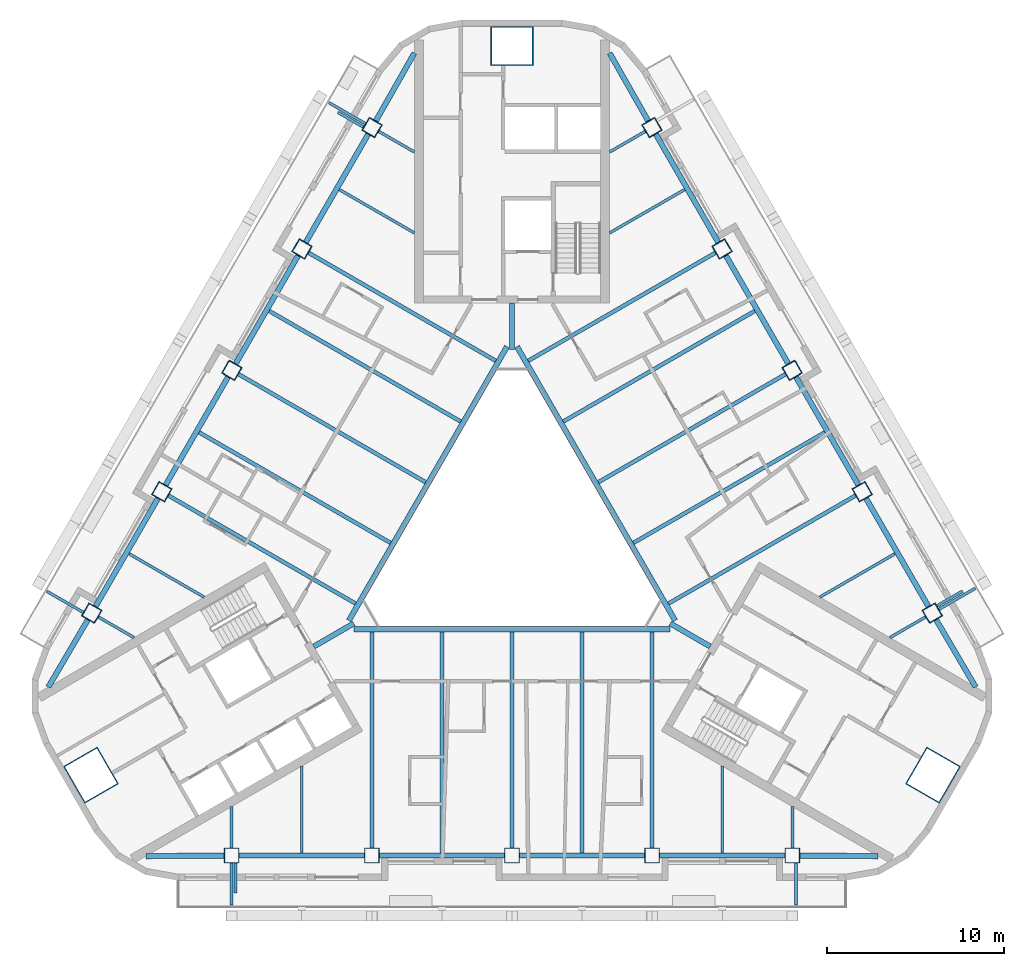
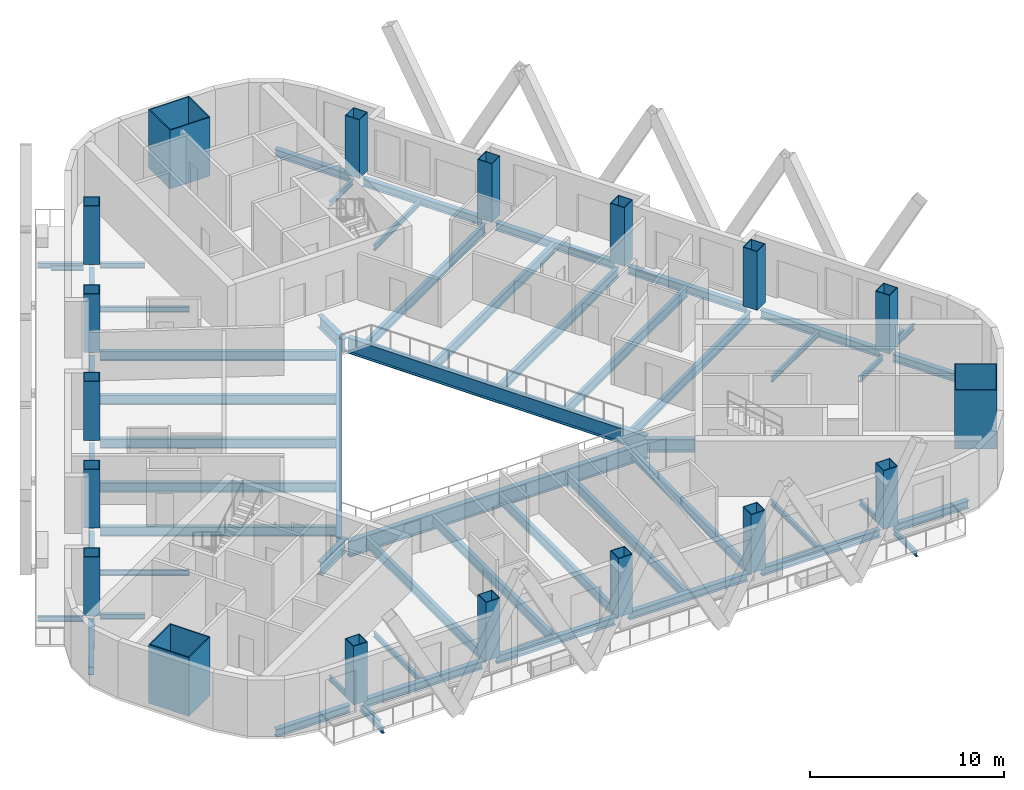
# One storey, part 1 of 14: 59 beams, 18 columns.
"""IFC4 building model written with IfcOpenShell, lengths in metres."""

from ifc_helpers import new_model, si_unit, direction, frame, origin, origin_2d, place, context, subcontext, project, spatial, rectangle, hollow_rectangle, i_section, extrude, material, material_profile, profile_set, type_object, element, save


model = new_model("IFC4")

# Units and contexts
model_context = context("Model", 3, precision=1e-05, world=origin(), true_north=direction((0.0, 1.0)))
body_context = subcontext(model_context, "Body", "Model", "MODEL_VIEW")
ifc_project = project(units=[si_unit("LENGTHUNIT", "METRE"), si_unit("AREAUNIT", "SQUARE_METRE"), si_unit("VOLUMEUNIT", "CUBIC_METRE"), si_unit("PLANEANGLEUNIT", "RADIAN"), si_unit("MASSUNIT", "GRAM", prefix="KILO")], contexts=[model_context])

# Site, building, storey
site_placement = place(None, origin())
site = spatial("IfcSite", under=ifc_project, at=site_placement, CompositionType="ELEMENT")
building_placement = place(site_placement, origin())
building = spatial("IfcBuilding", under=site, at=building_placement, Name="Apuvela Tower Hotel", CompositionType="ELEMENT")
storey_placement = place(building_placement, frame((0.0, 0.0, 168.800048828125)))
storey = spatial("IfcBuildingStorey", under=building, at=storey_placement, Name="L40", CompositionType="ELEMENT", Elevation=168.800048828125)

# Columns
ifc_material_1 = material(Name="Steel S460", Category="steel")
ifc_material_profile_1 = material_profile(ifc_material_1, hollow_rectangle(XDim=2.39990234375, YDim=2.199951171875, WallThickness=0.06005859375, at=origin_2d()), Name="BOX 2400x2200x60")
ifc_material_2 = material(Name="Concrete C80/95", Category="concrete")
ifc_material_profile_2 = material_profile(ifc_material_2, rectangle(XDim=2.280029296875, YDim=2.080078125, at=origin_2d()), Name="Concrete C80/95 infill")
ifc_profile_set_1 = profile_set([ifc_material_profile_1, ifc_material_profile_2], Name="Steel S460")
column_type_1 = type_object("IfcColumnType", Name="STR-MC mega column BOX 2400x2200x60", PredefinedType="COLUMN", material=ifc_profile_set_1)
for number, where, z_axis, x_axis, name in (
    (1, (0.0, 27.39990234375, 0.0), (0.0, 0.0, 1.0), (1.0, 0.0, 0.0), "Mega column MC3 N"),
    (2, (-23.72900390625, -13.699951171875, 0.0), (0.0, 0.0, 1.0), (-0.5, 0.866025403784, 0.0), "Mega column MC3 SW"),
    (3, (23.72900390625, -13.699951171875, 0.0), (0.0, 0.0, 1.0), (0.5, 0.866025403784, 0.0), "Mega column MC3 SE"),
):
    element("IfcColumn", number, at=place(storey_placement, frame(where, z_axis=z_axis, x_axis=x_axis)), inside=storey, type_object=column_type_1, Name=name, PredefinedType="COLUMN", context=body_context, shape_type="SweptSolid", body=[
        extrude(hollow_rectangle(XDim=2.39990234375, YDim=2.199951171875, WallThickness=0.06005859375, at=origin_2d()), origin(), (0.0, 0.0, 1.0), 3.699951171875),
    ])
ifc_material_profile_3 = material_profile(ifc_material_1, hollow_rectangle(XDim=0.85009765625, YDim=0.85009765625, WallThickness=0.0400390625, at=origin_2d()), Name="BOX 850x850x40")
ifc_material_profile_4 = material_profile(ifc_material_2, rectangle(XDim=0.77001953125, YDim=0.77001953125, at=origin_2d()), Name="Concrete C80/95 infill")
ifc_profile_set_2 = profile_set([ifc_material_profile_3, ifc_material_profile_4], Name="Steel S460")
column_type_2 = type_object("IfcColumnType", Name="STR-PC perimeter column BOX 850x850x40", PredefinedType="COLUMN", material=ifc_profile_set_2)
for number, where, z_axis, x_axis, name in (
    (4, (-15.800048828125, -18.22998046875, 0.0), (0.0, 0.0, 1.0), (-1.0, 0.0, 0.0), "Perimeter column C4 S1"),
    (5, (-7.89990234375, -18.22998046875, 0.0), (0.0, 0.0, 1.0), (-1.0, 0.0, 0.0), "Perimeter column C4 S2"),
    (6, (0.0, -18.22998046875, 0.0), (0.0, 0.0, 1.0), (-1.0, 0.0, 0.0), "Perimeter column C4 S3"),
    (7, (7.89990234375, -18.22998046875, 0.0), (0.0, 0.0, 1.0), (-1.0, 0.0, 0.0), "Perimeter column C4 S4"),
    (8, (15.800048828125, -18.22998046875, 0.0), (0.0, 0.0, 1.0), (-1.0, 0.0, 0.0), "Perimeter column C4 S5"),
    (9, (23.6875, -4.568115234375, 0.0), (0.0, 0.0, 1.0), (-0.5, 0.866025403784, 0.0), "Perimeter column C4 NE1"),
    (10, (19.737548828125, 2.2734375, 0.0), (0.0, 0.0, 1.0), (-0.5, 0.866025403784, 0.0), "Perimeter column C4 NE2"),
    (11, (15.78759765625, 9.114990234375, 0.0), (0.0, 0.0, 1.0), (-0.5, 0.866025403784, 0.0), "Perimeter column C4 NE3"),
    (12, (11.837646484375, 15.95654296875, 0.0), (0.0, 0.0, 1.0), (-0.5, 0.866025403784, 0.0), "Perimeter column C4 NE4"),
    (13, (7.8876953125, 22.798095703125, 0.0), (0.0, 0.0, 1.0), (-0.5, 0.866025403784, 0.0), "Perimeter column C4 NE5"),
    (14, (-7.8876953125, 22.798095703125, 0.0), (0.0, 0.0, 1.0), (0.5, 0.866025403784, 0.0), "Perimeter column C4 NW1"),
    (15, (-11.837646484375, 15.95654296875, 0.0), (0.0, 0.0, 1.0), (0.5, 0.866025403784, 0.0), "Perimeter column C4 NW2"),
    (16, (-15.78759765625, 9.114990234375, 0.0), (0.0, 0.0, 1.0), (0.5, 0.866025403784, 0.0), "Perimeter column C4 NW3"),
    (17, (-19.737548828125, 2.2734375, 0.0), (0.0, 0.0, 1.0), (0.5, 0.866025403784, 0.0), "Perimeter column C4 NW4"),
    (18, (-23.6875, -4.568115234375, 0.0), (0.0, 0.0, 1.0), (0.5, 0.866025403784, 0.0), "Perimeter column C4 NW5"),
):
    element("IfcColumn", number, at=place(storey_placement, frame(where, z_axis=z_axis, x_axis=x_axis)), inside=storey, type_object=column_type_2, Name=name, PredefinedType="COLUMN", context=body_context, shape_type="SweptSolid", body=[
        extrude(hollow_rectangle(XDim=0.85009765625, YDim=0.85009765625, WallThickness=0.0400390625, at=origin_2d()), origin(), (0.0, 0.0, 1.0), 3.699951171875),
    ])

# Beams
ifc_material_3 = material(Name="Steel S355", Category="steel")
ifc_material_profile_5 = material_profile(ifc_material_3, i_section(OverallWidth=0.159912109375, OverallDepth=0.330078125, WebThickness=0.007568359375, FlangeThickness=0.011474609375, at=origin_2d()), Name="IPE 330")
ifc_profile_set_3 = profile_set([ifc_material_profile_5], Name="Steel S355")
beam_type_1 = type_object("IfcBeamType", Name="ENV-BALCONY-BEAM-IPE330", PredefinedType="BEAM", material=ifc_profile_set_3)
beam_1_placement = place(storey_placement, frame((-15.800048828125, -18.655029296875, -0.31494140625), z_axis=(0.0, -1.0, 0.0), x_axis=(1.0, 0.0, 0.0)))
element("IfcBeam", 19, at=beam_1_placement, inside=storey, type_object=beam_type_1, Name="Balcony cantilever beam S1 L40", PredefinedType="BEAM", context=body_context, shape_type="SweptSolid", body=[
    extrude(i_section(OverallWidth=0.159912109375, OverallDepth=0.330078125, WebThickness=0.007568359375, FlangeThickness=0.011474609375, at=origin_2d()), origin(), (0.0, 0.0, 1.0), 2.375),
])
beam_2_placement = place(storey_placement, frame((-15.580078125, -18.655029296875, -0.31494140625), z_axis=(0.0, -1.0, 0.0), x_axis=(1.0, 0.0, 0.0)))
element("IfcBeam", 20, at=beam_2_placement, inside=storey, type_object=beam_type_1, Name="Balcony cantilever beam S2 L40", PredefinedType="BEAM", context=body_context, shape_type="SweptSolid", body=[
    extrude(i_section(OverallWidth=0.159912109375, OverallDepth=0.330078125, WebThickness=0.007568359375, FlangeThickness=0.011474609375, at=origin_2d()), origin(), (0.0, 0.0, 1.0), 1.675048828125),
])
for number, where, z_axis, x_axis, name in (
    (21, (16.0, -18.655029296875, -0.31494140625), (0.0, -1.0, 0.0), (1.0, 0.0, 0.0), "Balcony cantilever beam S3 L40"),
    (22, (24.0556640625, -4.355712890625, -0.31494140625), (0.866033238375, 0.499986429846, 0.0), (-0.499986429846, 0.866033238375, 0.0), "Balcony cantilever beam NE1 L40"),
):
    element("IfcBeam", number, at=place(storey_placement, frame(where, z_axis=z_axis, x_axis=x_axis)), inside=storey, type_object=beam_type_1, Name=name, PredefinedType="BEAM", context=body_context, shape_type="SweptSolid", body=[
        extrude(i_section(OverallWidth=0.159912109375, OverallDepth=0.330078125, WebThickness=0.007568359375, FlangeThickness=0.011474609375, at=origin_2d()), origin(), (0.0, 0.0, 1.0), 2.375),
    ])
beam_3_placement = place(storey_placement, frame((23.94580078125, -4.165283203125, -0.31494140625), z_axis=(0.865964676353, 0.500105168249, 0.0), x_axis=(-0.500105168249, 0.865964676353, 0.0)))
element("IfcBeam", 23, at=beam_3_placement, inside=storey, type_object=beam_type_1, Name="Balcony cantilever beam NE2 L40", PredefinedType="BEAM", context=body_context, shape_type="SweptSolid", body=[
    extrude(i_section(OverallWidth=0.159912109375, OverallDepth=0.330078125, WebThickness=0.007568359375, FlangeThickness=0.011474609375, at=origin_2d()), origin(), (0.0, 0.0, 1.0), 1.675048828125),
])
beam_4_placement = place(storey_placement, frame((-8.255615234375, 23.0107421875, -0.31494140625), z_axis=(-0.866033238375, 0.499986429846, 0.0), x_axis=(-0.499986429846, -0.866033238375, 0.0)))
element("IfcBeam", 24, at=beam_4_placement, inside=storey, type_object=beam_type_1, Name="Balcony cantilever beam NW1 L40", PredefinedType="BEAM", context=body_context, shape_type="SweptSolid", body=[
    extrude(i_section(OverallWidth=0.159912109375, OverallDepth=0.330078125, WebThickness=0.007568359375, FlangeThickness=0.011474609375, at=origin_2d()), origin(), (0.0, 0.0, 1.0), 2.375),
])
beam_5_placement = place(storey_placement, frame((-8.36572265625, 22.8203125, -0.31494140625), z_axis=(-0.866064234506, 0.499932737185, 0.0), x_axis=(-0.499932737185, -0.866064234506, 0.0)))
element("IfcBeam", 25, at=beam_5_placement, inside=storey, type_object=beam_type_1, Name="Balcony cantilever beam NW2 L40", PredefinedType="BEAM", context=body_context, shape_type="SweptSolid", body=[
    extrude(i_section(OverallWidth=0.159912109375, OverallDepth=0.330078125, WebThickness=0.007568359375, FlangeThickness=0.011474609375, at=origin_2d()), origin(), (0.0, 0.0, 1.0), 1.675048828125),
])
beam_6_placement = place(storey_placement, frame((-24.15576171875, -4.52880859375, -0.31494140625), z_axis=(-0.866007538022, 0.500030943131, 0.0), x_axis=(-0.500030943131, -0.866007538022, 0.0)))
element("IfcBeam", 26, at=beam_6_placement, inside=storey, type_object=beam_type_1, Name="Balcony cantilever beam NW3 L40", PredefinedType="BEAM", context=body_context, shape_type="SweptSolid", body=[
    extrude(i_section(OverallWidth=0.159912109375, OverallDepth=0.330078125, WebThickness=0.007568359375, FlangeThickness=0.011474609375, at=origin_2d()), origin(), (0.0, 0.0, 1.0), 2.374755859375),
])
ifc_material_profile_6 = material_profile(ifc_material_3, i_section(OverallWidth=0.159912109375, OverallDepth=0.330078125, WebThickness=0.007568359375, FlangeThickness=0.011474609375, at=origin_2d()), Name="IPE 330")
ifc_profile_set_4 = profile_set([ifc_material_profile_6], Name="Steel S355")
beam_type_2 = type_object("IfcBeamType", Name="STR-B floor beam IPE 330", PredefinedType="BEAM", material=ifc_profile_set_4)
beam_7_placement = place(storey_placement, frame((23.319580078125, -4.78076171875, -0.31494140625), z_axis=(-0.866018215049, -0.500012451049, 0.0), x_axis=(0.500012451049, -0.866018215049, 0.0)))
element("IfcBeam", 27, at=beam_7_placement, inside=storey, type_object=beam_type_2, Name="Floor beam B1 NE1", PredefinedType="BEAM", context=body_context, shape_type="SweptSolid", body=[
    extrude(i_section(OverallWidth=0.159912109375, OverallDepth=0.330078125, WebThickness=0.007568359375, FlangeThickness=0.011474609375, at=origin_2d()), origin(), (0.0, 0.0, 1.0), 2.33203125),
])
for number, where, z_axis, x_axis, name in (
    (28, (21.582763671875, -1.222412109375, -0.31494140625), (-0.866015056278, -0.500017921979, 0.0), (0.500017921979, -0.866015056278, 0.0), "Floor beam B1 NE2"),
    (29, (9.732666015625, 19.302490234375, -0.31494140625), (-0.866015056278, -0.500017921979, 0.0), (0.500017921979, -0.866015056278, 0.0), "Floor beam B1 NE8"),
):
    element("IfcBeam", number, at=place(storey_placement, frame(where, z_axis=z_axis, x_axis=x_axis)), inside=storey, type_object=beam_type_2, Name=name, PredefinedType="BEAM", context=body_context, shape_type="SweptSolid", body=[
        extrude(i_section(OverallWidth=0.159912109375, OverallDepth=0.330078125, WebThickness=0.007568359375, FlangeThickness=0.011474609375, at=origin_2d()), origin(), (0.0, 0.0, 1.0), 4.887451171875),
    ])
for number, where, z_axis, x_axis, name in (
    (30, (7.51953125, 22.585693359375, -0.31494140625), (-0.866018215049, -0.500012451049, 0.0), (0.500012451049, -0.866018215049, 0.0), "Floor beam B1 NE9"),
    (31, (-7.51953125, 22.585693359375, -0.31494140625), (0.866018215049, -0.500012451049, 0.0), (0.500012451049, 0.866018215049, 0.0), "Floor beam B1 NW1"),
):
    element("IfcBeam", number, at=place(storey_placement, frame(where, z_axis=z_axis, x_axis=x_axis)), inside=storey, type_object=beam_type_2, Name=name, PredefinedType="BEAM", context=body_context, shape_type="SweptSolid", body=[
        extrude(i_section(OverallWidth=0.159912109375, OverallDepth=0.330078125, WebThickness=0.007568359375, FlangeThickness=0.011474609375, at=origin_2d()), origin(), (0.0, 0.0, 1.0), 2.33203125),
    ])
for number, where, z_axis, x_axis, name in (
    (32, (-9.732666015625, 19.302490234375, -0.31494140625), (0.866015056278, -0.500017921979, 0.0), (0.500017921979, 0.866015056278, 0.0), "Floor beam B1 NW2"),
    (33, (-21.582763671875, -1.222412109375, -0.31494140625), (0.866015056278, -0.500017921979, 0.0), (0.500017921979, 0.866015056278, 0.0), "Floor beam B1 NW8"),
):
    element("IfcBeam", number, at=place(storey_placement, frame(where, z_axis=z_axis, x_axis=x_axis)), inside=storey, type_object=beam_type_2, Name=name, PredefinedType="BEAM", context=body_context, shape_type="SweptSolid", body=[
        extrude(i_section(OverallWidth=0.159912109375, OverallDepth=0.330078125, WebThickness=0.007568359375, FlangeThickness=0.011474609375, at=origin_2d()), origin(), (0.0, 0.0, 1.0), 4.887451171875),
    ])
for number, where, z_axis, x_axis, name in (
    (34, (-23.319580078125, -4.78076171875, -0.31494140625), (0.866018215049, -0.500012451049, 0.0), (0.500012451049, 0.866018215049, 0.0), "Floor beam B1 NW9"),
    (35, (-15.800048828125, -17.804931640625, -0.31494140625), (0.0, 1.0, 0.0), (-1.0, 0.0, 0.0), "Floor beam B1 S1"),
):
    element("IfcBeam", number, at=place(storey_placement, frame(where, z_axis=z_axis, x_axis=x_axis)), inside=storey, type_object=beam_type_2, Name=name, PredefinedType="BEAM", context=body_context, shape_type="SweptSolid", body=[
        extrude(i_section(OverallWidth=0.159912109375, OverallDepth=0.330078125, WebThickness=0.007568359375, FlangeThickness=0.011474609375, at=origin_2d()), origin(), (0.0, 0.0, 1.0), 2.33203125),
    ])
for number, where, z_axis, x_axis, name in (
    (36, (-11.85009765625, -18.080078125, -0.31494140625), (0.0, 1.0, 0.0), (-1.0, 0.0, 0.0), "Floor beam B1 S2"),
    (37, (11.85009765625, -18.080078125, -0.31494140625), (0.0, 1.0, 0.0), (-1.0, 0.0, 0.0), "Floor beam B1 S8"),
):
    element("IfcBeam", number, at=place(storey_placement, frame(where, z_axis=z_axis, x_axis=x_axis)), inside=storey, type_object=beam_type_2, Name=name, PredefinedType="BEAM", context=body_context, shape_type="SweptSolid", body=[
        extrude(i_section(OverallWidth=0.159912109375, OverallDepth=0.330078125, WebThickness=0.007568359375, FlangeThickness=0.011474609375, at=origin_2d()), origin(), (0.0, 0.0, 1.0), 4.8876953125),
    ])
beam_8_placement = place(storey_placement, frame((15.800048828125, -17.804931640625, -0.31494140625), z_axis=(0.0, 1.0, 0.0), x_axis=(-1.0, 0.0, 0.0)))
element("IfcBeam", 38, at=beam_8_placement, inside=storey, type_object=beam_type_2, Name="Floor beam B1 S9", PredefinedType="BEAM", context=body_context, shape_type="SweptSolid", body=[
    extrude(i_section(OverallWidth=0.159912109375, OverallDepth=0.330078125, WebThickness=0.007568359375, FlangeThickness=0.011474609375, at=origin_2d()), origin(), (0.0, 0.0, 1.0), 2.33203125),
])
ifc_material_profile_7 = material_profile(ifc_material_3, i_section(OverallWidth=0.219970703125, OverallDepth=0.60009765625, WebThickness=0.011962890625, FlangeThickness=0.01904296875, at=origin_2d()), Name="IPE 600")
ifc_profile_set_5 = profile_set([ifc_material_profile_7], Name="Steel S355")
beam_type_3 = type_object("IfcBeamType", Name="STR-B floor beam IPE 600", PredefinedType="BEAM", material=ifc_profile_set_5)
beam_9_placement = place(storey_placement, frame((19.36962890625, 2.060791015625, -0.449951171875), z_axis=(-0.866032437209, -0.499987817553, 0.0), x_axis=(0.499987817553, -0.866032437209, 0.0)))
element("IfcBeam", 39, at=beam_9_placement, inside=storey, type_object=beam_type_3, Name="Floor beam B8 NE3", PredefinedType="BEAM", context=body_context, shape_type="SweptSolid", body=[
    extrude(i_section(OverallWidth=0.219970703125, OverallDepth=0.60009765625, WebThickness=0.011962890625, FlangeThickness=0.01904296875, at=origin_2d()), origin(), (0.0, 0.0, 1.0), 12.184814453125),
])
beam_10_placement = place(storey_placement, frame((17.6328125, 5.619140625, -0.449951171875), z_axis=(-0.866027987673, -0.499995524547, 0.0), x_axis=(0.499995524547, -0.866027987673, 0.0)))
element("IfcBeam", 40, at=beam_10_placement, inside=storey, type_object=beam_type_3, Name="Floor beam B8 NE4", PredefinedType="BEAM", context=body_context, shape_type="SweptSolid", body=[
    extrude(i_section(OverallWidth=0.219970703125, OverallDepth=0.60009765625, WebThickness=0.011962890625, FlangeThickness=0.01904296875, at=origin_2d()), origin(), (0.0, 0.0, 1.0), 12.4599609375),
])
beam_11_placement = place(storey_placement, frame((15.419677734375, 8.902587890625, -0.449951171875), z_axis=(-0.8660237613, -0.500002844856, 0.0), x_axis=(0.500002844856, -0.8660237613, 0.0)))
element("IfcBeam", 41, at=beam_11_placement, inside=storey, type_object=beam_type_3, Name="Floor beam B8 NE5", PredefinedType="BEAM", context=body_context, shape_type="SweptSolid", body=[
    extrude(i_section(OverallWidth=0.219970703125, OverallDepth=0.60009765625, WebThickness=0.011962890625, FlangeThickness=0.01904296875, at=origin_2d()), origin(), (0.0, 0.0, 1.0), 12.18505859375),
])
beam_12_placement = place(storey_placement, frame((13.6826171875, 12.460693359375, -0.449951171875), z_axis=(-0.866023089177, -0.500004008996, 0.0), x_axis=(0.500004008996, -0.866023089177, 0.0)))
element("IfcBeam", 42, at=beam_12_placement, inside=storey, type_object=beam_type_3, Name="Floor beam B8 NE6", PredefinedType="BEAM", context=body_context, shape_type="SweptSolid", body=[
    extrude(i_section(OverallWidth=0.219970703125, OverallDepth=0.60009765625, WebThickness=0.011962890625, FlangeThickness=0.01904296875, at=origin_2d()), origin(), (0.0, 0.0, 1.0), 12.4599609375),
])
for number, where, z_axis, x_axis, name in (
    (43, (11.469482421875, 15.744140625, -0.449951171875), (-0.8660237613, -0.500002844856, 0.0), (0.500002844856, -0.8660237613, 0.0), "Floor beam B8 NE7"),
    (44, (-11.469482421875, 15.744140625, -0.449951171875), (0.8660237613, -0.500002844856, 0.0), (0.500002844856, 0.8660237613, 0.0), "Floor beam B8 NW3"),
):
    element("IfcBeam", number, at=place(storey_placement, frame(where, z_axis=z_axis, x_axis=x_axis)), inside=storey, type_object=beam_type_3, Name=name, PredefinedType="BEAM", context=body_context, shape_type="SweptSolid", body=[
        extrude(i_section(OverallWidth=0.219970703125, OverallDepth=0.60009765625, WebThickness=0.011962890625, FlangeThickness=0.01904296875, at=origin_2d()), origin(), (0.0, 0.0, 1.0), 12.18505859375),
    ])
beam_13_placement = place(storey_placement, frame((-13.6826171875, 12.460693359375, -0.449951171875), z_axis=(0.866023089177, -0.500004008996, 0.0), x_axis=(0.500004008996, 0.866023089177, 0.0)))
element("IfcBeam", 45, at=beam_13_placement, inside=storey, type_object=beam_type_3, Name="Floor beam B8 NW4", PredefinedType="BEAM", context=body_context, shape_type="SweptSolid", body=[
    extrude(i_section(OverallWidth=0.219970703125, OverallDepth=0.60009765625, WebThickness=0.011962890625, FlangeThickness=0.01904296875, at=origin_2d()), origin(), (0.0, 0.0, 1.0), 12.4599609375),
])
beam_14_placement = place(storey_placement, frame((-15.419677734375, 8.902587890625, -0.449951171875), z_axis=(0.8660237613, -0.500002844856, 0.0), x_axis=(0.500002844856, 0.8660237613, 0.0)))
element("IfcBeam", 46, at=beam_14_placement, inside=storey, type_object=beam_type_3, Name="Floor beam B8 NW5", PredefinedType="BEAM", context=body_context, shape_type="SweptSolid", body=[
    extrude(i_section(OverallWidth=0.219970703125, OverallDepth=0.60009765625, WebThickness=0.011962890625, FlangeThickness=0.01904296875, at=origin_2d()), origin(), (0.0, 0.0, 1.0), 12.18505859375),
])
beam_15_placement = place(storey_placement, frame((-17.6328125, 5.619140625, -0.449951171875), z_axis=(0.866027987673, -0.499995524547, 0.0), x_axis=(0.499995524547, 0.866027987673, 0.0)))
element("IfcBeam", 47, at=beam_15_placement, inside=storey, type_object=beam_type_3, Name="Floor beam B8 NW6", PredefinedType="BEAM", context=body_context, shape_type="SweptSolid", body=[
    extrude(i_section(OverallWidth=0.219970703125, OverallDepth=0.60009765625, WebThickness=0.011962890625, FlangeThickness=0.01904296875, at=origin_2d()), origin(), (0.0, 0.0, 1.0), 12.4599609375),
])
for number, where, z_axis, x_axis, name in (
    (48, (-19.36962890625, 2.060791015625, -0.449951171875), (0.866032437209, -0.499987817553, 0.0), (0.499987817553, 0.866032437209, 0.0), "Floor beam B8 NW7"),
    (49, (-7.89990234375, -17.804931640625, -0.449951171875), (0.0, 1.0, 0.0), (-1.0, 0.0, 0.0), "Floor beam B8 S3"),
):
    element("IfcBeam", number, at=place(storey_placement, frame(where, z_axis=z_axis, x_axis=x_axis)), inside=storey, type_object=beam_type_3, Name=name, PredefinedType="BEAM", context=body_context, shape_type="SweptSolid", body=[
        extrude(i_section(OverallWidth=0.219970703125, OverallDepth=0.60009765625, WebThickness=0.011962890625, FlangeThickness=0.01904296875, at=origin_2d()), origin(), (0.0, 0.0, 1.0), 12.184814453125),
    ])
beam_16_placement = place(storey_placement, frame((-3.949951171875, -18.080078125, -0.449951171875), z_axis=(0.0, 1.0, 0.0), x_axis=(-1.0, 0.0, 0.0)))
element("IfcBeam", 50, at=beam_16_placement, inside=storey, type_object=beam_type_3, Name="Floor beam B8 S4", PredefinedType="BEAM", context=body_context, shape_type="SweptSolid", body=[
    extrude(i_section(OverallWidth=0.219970703125, OverallDepth=0.60009765625, WebThickness=0.011962890625, FlangeThickness=0.01904296875, at=origin_2d()), origin(), (0.0, 0.0, 1.0), 12.4599609375),
])
beam_17_placement = place(storey_placement, frame((0.0, -17.804931640625, -0.449951171875), z_axis=(0.0, 1.0, 0.0), x_axis=(-1.0, 0.0, 0.0)))
element("IfcBeam", 51, at=beam_17_placement, inside=storey, type_object=beam_type_3, Name="Floor beam B8 S5", PredefinedType="BEAM", context=body_context, shape_type="SweptSolid", body=[
    extrude(i_section(OverallWidth=0.219970703125, OverallDepth=0.60009765625, WebThickness=0.011962890625, FlangeThickness=0.01904296875, at=origin_2d()), origin(), (0.0, 0.0, 1.0), 12.184814453125),
])
beam_18_placement = place(storey_placement, frame((3.949951171875, -18.080078125, -0.449951171875), z_axis=(0.0, 1.0, 0.0), x_axis=(-1.0, 0.0, 0.0)))
element("IfcBeam", 52, at=beam_18_placement, inside=storey, type_object=beam_type_3, Name="Floor beam B8 S6", PredefinedType="BEAM", context=body_context, shape_type="SweptSolid", body=[
    extrude(i_section(OverallWidth=0.219970703125, OverallDepth=0.60009765625, WebThickness=0.011962890625, FlangeThickness=0.01904296875, at=origin_2d()), origin(), (0.0, 0.0, 1.0), 12.4599609375),
])
beam_19_placement = place(storey_placement, frame((7.89990234375, -17.804931640625, -0.449951171875), z_axis=(0.0, 1.0, 0.0), x_axis=(-1.0, 0.0, 0.0)))
element("IfcBeam", 53, at=beam_19_placement, inside=storey, type_object=beam_type_3, Name="Floor beam B8 S7", PredefinedType="BEAM", context=body_context, shape_type="SweptSolid", body=[
    extrude(i_section(OverallWidth=0.219970703125, OverallDepth=0.60009765625, WebThickness=0.011962890625, FlangeThickness=0.01904296875, at=origin_2d()), origin(), (0.0, 0.0, 1.0), 12.184814453125),
])
ifc_material_profile_8 = material_profile(ifc_material_3, i_section(OverallWidth=0.300048828125, OverallDepth=1.0, WebThickness=0.01904296875, FlangeThickness=0.035888671875, at=origin_2d()), Name="HE 1000 B")
ifc_profile_set_6 = profile_set([ifc_material_profile_8], Name="Steel S355")
beam_type_4 = type_object("IfcBeamType", Name="STR-G atrium ring girder HE 1000 B", PredefinedType="BEAM", material=ifc_profile_set_6)
beam_20_placement = place(storey_placement, frame((-0.27978515625, 10.455078125, -0.650146484375), z_axis=(-0.500006541319, -0.866021627119, 0.0), x_axis=(0.866021627119, -0.500006541319, 0.0)))
element("IfcBeam", 54, at=beam_20_placement, inside=storey, type_object=beam_type_4, Name="Atrium ring girder G2 N-SW", PredefinedType="BEAM", context=body_context, shape_type="SweptSolid", body=[
    extrude(i_section(OverallWidth=0.300048828125, OverallDepth=1.0, WebThickness=0.01904296875, FlangeThickness=0.035888671875, at=origin_2d()), origin(), (0.0, 0.0, 1.0), 17.828857421875),
])
beam_21_placement = place(storey_placement, frame((-8.91455078125, -5.469970703125, -0.650146484375), z_axis=(1.0, 0.0, 0.0), x_axis=(0.0, 1.0, 0.0)))
element("IfcBeam", 55, at=beam_21_placement, inside=storey, type_object=beam_type_4, Name="Atrium ring girder G2 SW-SE", PredefinedType="BEAM", context=body_context, shape_type="SweptSolid", body=[
    extrude(i_section(OverallWidth=0.300048828125, OverallDepth=1.0, WebThickness=0.01904296875, FlangeThickness=0.035888671875, at=origin_2d()), origin(), (0.0, 0.0, 1.0), 17.8291015625),
])
beam_22_placement = place(storey_placement, frame((9.1943359375, -4.985107421875, -0.650146484375), z_axis=(-0.500006541319, 0.866021627119, 0.0), x_axis=(-0.866021627119, -0.500006541319, 0.0)))
element("IfcBeam", 56, at=beam_22_placement, inside=storey, type_object=beam_type_4, Name="Atrium ring girder G2 SE-N", PredefinedType="BEAM", context=body_context, shape_type="SweptSolid", body=[
    extrude(i_section(OverallWidth=0.300048828125, OverallDepth=1.0, WebThickness=0.01904296875, FlangeThickness=0.035888671875, at=origin_2d()), origin(), (0.0, 0.0, 1.0), 17.828857421875),
])
ifc_material_profile_9 = material_profile(ifc_material_3, i_section(OverallWidth=0.300048828125, OverallDepth=0.800048828125, WebThickness=0.017578125, FlangeThickness=0.032958984375, at=origin_2d()), Name="HE 800 B")
ifc_profile_set_7 = profile_set([ifc_material_profile_9], Name="Steel S355")
beam_type_5 = type_object("IfcBeamType", Name="STR-GT core tie beam HE 800 B", PredefinedType="BEAM", material=ifc_profile_set_7)
for number, where, z_axis, x_axis, name in (
    (57, (0.0, 12.89990234375, -0.550048828125), (0.0, -1.0, 0.0), (1.0, 0.0, 0.0), "Core tie beam GT1 N"),
    (58, (-11.171630859375, -6.449951171875, -0.550048828125), (0.865997922154, 0.500047596559, 0.0), (-0.500047596559, 0.865997922154, 0.0), "Core tie beam GT1 SW"),
    (59, (11.171630859375, -6.449951171875, -0.550048828125), (-0.865997922154, 0.500047596559, 0.0), (-0.500047596559, -0.865997922154, 0.0), "Core tie beam GT1 SE"),
):
    element("IfcBeam", number, at=place(storey_placement, frame(where, z_axis=z_axis, x_axis=x_axis)), inside=storey, type_object=beam_type_5, Name=name, PredefinedType="BEAM", context=body_context, shape_type="SweptSolid", body=[
        extrude(i_section(OverallWidth=0.300048828125, OverallDepth=0.800048828125, WebThickness=0.017578125, FlangeThickness=0.032958984375, at=origin_2d()), origin(), (0.0, 0.0, 1.0), 2.599853515625),
    ])
ifc_material_profile_10 = material_profile(ifc_material_3, i_section(OverallWidth=0.300048828125, OverallDepth=0.489990234375, WebThickness=0.011962890625, FlangeThickness=0.02294921875, at=origin_2d()), Name="HE 500 A")
ifc_profile_set_8 = profile_set([ifc_material_profile_10], Name="Steel S355")
beam_type_6 = type_object("IfcBeamType", Name="STR-SB spandrel beam HE 500 A", PredefinedType="SPANDREL", material=ifc_profile_set_8)
for number, where, z_axis, x_axis, name in (
    (60, (-15.375, -18.22998046875, -0.39501953125), (1.0, 0.0, 0.0), (0.0, 1.0, 0.0), "Spandrel beam SB3 S1"),
    (61, (-7.47509765625, -18.22998046875, -0.39501953125), (1.0, 0.0, 0.0), (0.0, 1.0, 0.0), "Spandrel beam SB3 S2"),
    (62, (0.425048828125, -18.22998046875, -0.39501953125), (1.0, 0.0, 0.0), (0.0, 1.0, 0.0), "Spandrel beam SB3 S3"),
    (63, (8.324951171875, -18.22998046875, -0.39501953125), (1.0, 0.0, 0.0), (0.0, 1.0, 0.0), "Spandrel beam SB3 S4"),
    (64, (23.47509765625, -4.2001953125, -0.39501953125), (-0.499990246421, 0.866031034943, 0.0), (-0.866031034943, -0.499990246421, 0.0), "Spandrel beam SB3 NE1"),
):
    element("IfcBeam", number, at=place(storey_placement, frame(where, z_axis=z_axis, x_axis=x_axis)), inside=storey, type_object=beam_type_6, Name=name, PredefinedType="SPANDREL", context=body_context, shape_type="SweptSolid", body=[
        extrude(i_section(OverallWidth=0.300048828125, OverallDepth=0.489990234375, WebThickness=0.011962890625, FlangeThickness=0.02294921875, at=origin_2d()), origin(), (0.0, 0.0, 1.0), 7.050048828125),
    ])
for number, where, z_axis, x_axis, name in (
    (65, (19.525146484375, 2.6416015625, -0.39501953125), (-0.500031214443, 0.866007381368, 0.0), (-0.866007381368, -0.500031214443, 0.0), "Spandrel beam SB3 NE2"),
    (66, (15.5751953125, 9.483154296875, -0.39501953125), (-0.500031214443, 0.866007381368, 0.0), (-0.866007381368, -0.500031214443, 0.0), "Spandrel beam SB3 NE3"),
):
    element("IfcBeam", number, at=place(storey_placement, frame(where, z_axis=z_axis, x_axis=x_axis)), inside=storey, type_object=beam_type_6, Name=name, PredefinedType="SPANDREL", context=body_context, shape_type="SweptSolid", body=[
        extrude(i_section(OverallWidth=0.300048828125, OverallDepth=0.489990234375, WebThickness=0.011962890625, FlangeThickness=0.02294921875, at=origin_2d()), origin(), (0.0, 0.0, 1.0), 7.0498046875),
    ])
for number, where, z_axis, x_axis, name in (
    (67, (11.625, 16.32470703125, -0.39501953125), (-0.499990246421, 0.866031034943, 0.0), (-0.866031034943, -0.499990246421, 0.0), "Spandrel beam SB3 NE4"),
    (68, (-8.10009765625, 22.43017578125, -0.39501953125), (-0.499990246421, -0.866031034943, 0.0), (0.866031034943, -0.499990246421, 0.0), "Spandrel beam SB3 NW1"),
):
    element("IfcBeam", number, at=place(storey_placement, frame(where, z_axis=z_axis, x_axis=x_axis)), inside=storey, type_object=beam_type_6, Name=name, PredefinedType="SPANDREL", context=body_context, shape_type="SweptSolid", body=[
        extrude(i_section(OverallWidth=0.300048828125, OverallDepth=0.489990234375, WebThickness=0.011962890625, FlangeThickness=0.02294921875, at=origin_2d()), origin(), (0.0, 0.0, 1.0), 7.050048828125),
    ])
for number, where, z_axis, x_axis, name in (
    (69, (-12.050048828125, 15.58837890625, -0.39501953125), (-0.500031214443, -0.866007381368, 0.0), (0.866007381368, -0.500031214443, 0.0), "Spandrel beam SB3 NW2"),
    (70, (-16.0, 8.746826171875, -0.39501953125), (-0.500031214443, -0.866007381368, 0.0), (0.866007381368, -0.500031214443, 0.0), "Spandrel beam SB3 NW3"),
):
    element("IfcBeam", number, at=place(storey_placement, frame(where, z_axis=z_axis, x_axis=x_axis)), inside=storey, type_object=beam_type_6, Name=name, PredefinedType="SPANDREL", context=body_context, shape_type="SweptSolid", body=[
        extrude(i_section(OverallWidth=0.300048828125, OverallDepth=0.489990234375, WebThickness=0.011962890625, FlangeThickness=0.02294921875, at=origin_2d()), origin(), (0.0, 0.0, 1.0), 7.0498046875),
    ])
beam_23_placement = place(storey_placement, frame((-19.9501953125, 1.9052734375, -0.39501953125), z_axis=(-0.499990246421, -0.866031034943, 0.0), x_axis=(0.866031034943, -0.499990246421, 0.0)))
element("IfcBeam", 71, at=beam_23_placement, inside=storey, type_object=beam_type_6, Name="Spandrel beam SB3 NW4", PredefinedType="SPANDREL", context=body_context, shape_type="SweptSolid", body=[
    extrude(i_section(OverallWidth=0.300048828125, OverallDepth=0.489990234375, WebThickness=0.011962890625, FlangeThickness=0.02294921875, at=origin_2d()), origin(), (0.0, 0.0, 1.0), 7.050048828125),
])
for number, where, z_axis, x_axis, name in (
    (72, (-16.22509765625, -18.23291015625, -0.39501953125), (-0.999976414172, -0.006868122043, 0.0), (0.006868122043, -0.999976414172, 0.0), "Spandrel beam SB3 S1-SW"),
    (73, (16.22509765625, -18.23291015625, -0.39501953125), (0.999976414172, -0.006868122043, 0.0), (0.006868122043, 0.999976414172, 0.0), "Spandrel beam SB3 S5-SE"),
):
    element("IfcBeam", number, at=place(storey_placement, frame(where, z_axis=z_axis, x_axis=x_axis)), inside=storey, type_object=beam_type_6, Name=name, PredefinedType="SPANDREL", context=body_context, shape_type="SweptSolid", body=[
        extrude(i_section(OverallWidth=0.300048828125, OverallDepth=0.489990234375, WebThickness=0.011962890625, FlangeThickness=0.02294921875, at=origin_2d()), origin(), (0.0, 0.0, 1.0), 4.40771484375),
    ])
beam_24_placement = place(storey_placement, frame((23.902587890625, -4.934814453125, -0.39501953125), z_axis=(0.505966812052, -0.86255294626, 0.0), x_axis=(0.86255294626, 0.505966812052, 0.0)))
element("IfcBeam", 74, at=beam_24_placement, inside=storey, type_object=beam_type_6, Name="Spandrel beam SB3 NE1-SE", PredefinedType="SPANDREL", context=body_context, shape_type="SweptSolid", body=[
    extrude(i_section(OverallWidth=0.300048828125, OverallDepth=0.489990234375, WebThickness=0.011962890625, FlangeThickness=0.02294921875, at=origin_2d()), origin(), (0.0, 0.0, 1.0), 4.407958984375),
])
for number, where, z_axis, x_axis, name in (
    (75, (7.677734375, 23.167724609375, -0.39501953125), (-0.494061745322, 0.869426817972, 0.0), (-0.869426817972, -0.494061745322, 0.0), "Spandrel beam SB3 NE5-N"),
    (76, (-7.677734375, 23.167724609375, -0.39501953125), (0.494061745322, 0.869426817972, 0.0), (-0.869426817972, 0.494061745322, 0.0), "Spandrel beam SB3 NW1-N"),
):
    element("IfcBeam", number, at=place(storey_placement, frame(where, z_axis=z_axis, x_axis=x_axis)), inside=storey, type_object=beam_type_6, Name=name, PredefinedType="SPANDREL", context=body_context, shape_type="SweptSolid", body=[
        extrude(i_section(OverallWidth=0.300048828125, OverallDepth=0.489990234375, WebThickness=0.011962890625, FlangeThickness=0.02294921875, at=origin_2d()), origin(), (0.0, 0.0, 1.0), 4.40771484375),
    ])
beam_25_placement = place(storey_placement, frame((-23.902587890625, -4.934814453125, -0.39501953125), z_axis=(-0.505966812052, -0.86255294626, 0.0), x_axis=(0.86255294626, -0.505966812052, 0.0)))
element("IfcBeam", 77, at=beam_25_placement, inside=storey, type_object=beam_type_6, Name="Spandrel beam SB3 NW5-SW", PredefinedType="SPANDREL", context=body_context, shape_type="SweptSolid", body=[
    extrude(i_section(OverallWidth=0.300048828125, OverallDepth=0.489990234375, WebThickness=0.011962890625, FlangeThickness=0.02294921875, at=origin_2d()), origin(), (0.0, 0.0, 1.0), 4.407958984375),
])

save(model, "model.ifc")
